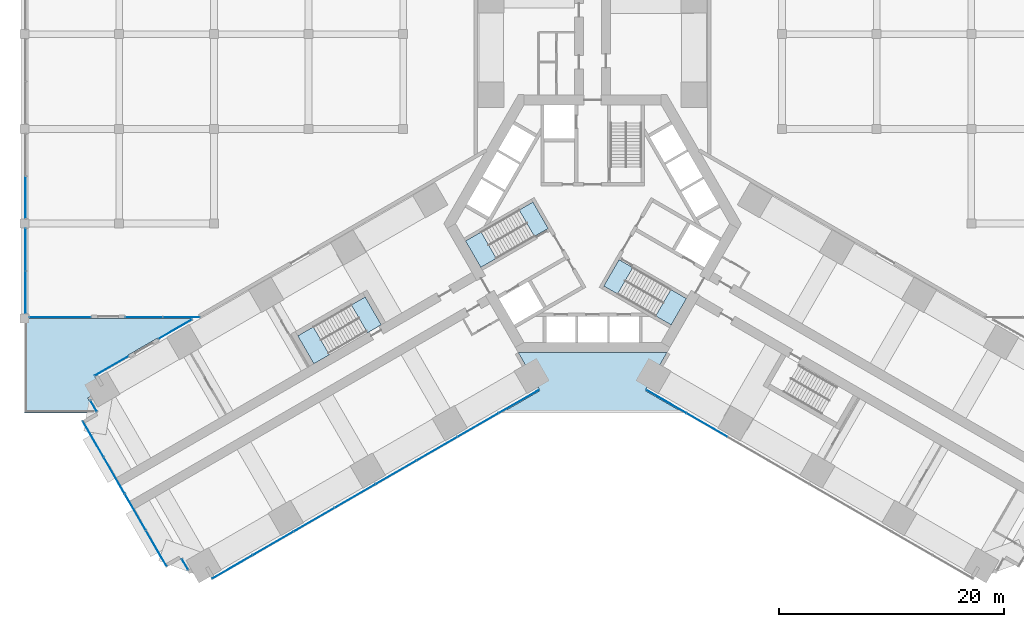
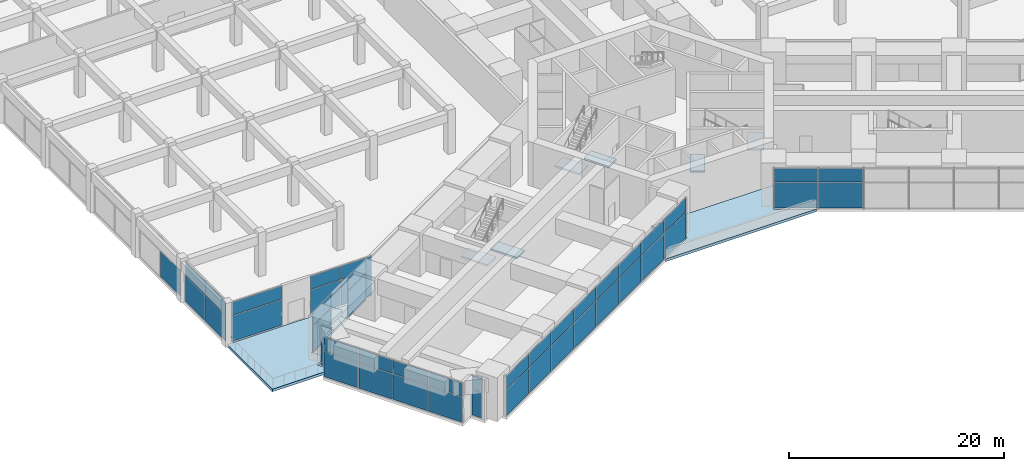
# One storey, part 23 of 33: 47 plates, 8 slabs, 14 elements without a shape of their own.
"""IFC4 building model written with IfcOpenShell, lengths in metres."""

from ifc_helpers import new_model, si_unit, direction, frame, origin, origin_2d, place, context, subcontext, project, spatial, polyline, rectangle, outline, extrude, material, layer, layer_set, type_object, element, aggregate, save


model = new_model("IFC4")

# Units and contexts
model_context = context("Model", 3, precision=1e-05, world=origin(), true_north=direction((0.0, 1.0)))
body_context = subcontext(model_context, "Body", "Model", "MODEL_VIEW")
ifc_project = project(units=[si_unit("LENGTHUNIT", "METRE"), si_unit("AREAUNIT", "SQUARE_METRE"), si_unit("VOLUMEUNIT", "CUBIC_METRE"), si_unit("PLANEANGLEUNIT", "RADIAN"), si_unit("MASSUNIT", "GRAM", prefix="KILO")], contexts=[model_context])

# Site, building, storey
site_placement = place(None, origin())
site = spatial("IfcSite", under=ifc_project, at=site_placement, CompositionType="ELEMENT")
building_placement = place(site_placement, origin())
building = spatial("IfcBuilding", under=site, at=building_placement, Name="Impinga Residences", CompositionType="ELEMENT")
storey_placement = place(building_placement, frame((0.0, 0.0, 21.0)))
storey = spatial("IfcBuildingStorey", under=building, at=storey_placement, Name="L04", CompositionType="ELEMENT", Elevation=21.0)

# Curtain wall, plates
ifc_material_1 = material(Name="Aluminium stick curtain wall", Category="aluminium")
curtain_wall_type = type_object("IfcCurtainWallType", Name="CW1 podium amenity curtain wall", PredefinedType="USERDEFINED", material=ifc_material_1)
curtain_wall_1_placement = place(storey_placement, origin())
curtain_wall_1 = element("IfcCurtainWall", 1, at=curtain_wall_1_placement, inside=storey, type_object=curtain_wall_type, Name="Curtain wall CW1 L04", ObjectType="STICK CURTAIN WALL", PredefinedType="USERDEFINED")
ifc_material_2 = material(Name="Clear double glazing", Category="glass")
ifc_layer_1 = layer(ifc_material_2, 0.028076171875)
ifc_layer_set_1 = layer_set([ifc_layer_1], Name="CW1-P clear double glazed panel 28")
plate_type = type_object("IfcPlateType", Name="CW1-P clear double glazed panel 28", PredefinedType="CURTAIN_PANEL", material=ifc_layer_set_1)
plate_1_placement = place(storey_placement, frame((-36.160888671875, -30.23046875, 0.06005859375), z_axis=(0.0, 0.0, 1.0), x_axis=(-0.499999813995, 0.866025511175, 0.0)))
plate_1 = element("IfcPlate", 2, at=plate_1_placement, type_object=plate_type, Name="CW1 panel 1.1", PredefinedType="CURTAIN_PANEL", context=body_context, shape_type="SweptSolid", body=[
    extrude(rectangle(XDim=1.080078125, YDim=0.028076171875, at=origin_2d()), origin(), (0.0, 0.0, 1.0), 2.909912109375),
])
plate_2_placement = place(storey_placement, frame((-36.160888671875, -30.23046875, 3.02978515625), z_axis=(0.0, 0.0, 1.0), x_axis=(-0.499999813995, 0.866025511175, 0.0)))
plate_2 = element("IfcPlate", 3, at=plate_2_placement, type_object=plate_type, Name="CW1 panel 1.2", PredefinedType="CURTAIN_PANEL", context=body_context, shape_type="SweptSolid", body=[
    extrude(rectangle(XDim=1.080078125, YDim=0.028076171875, at=origin_2d()), origin(), (0.0, 0.0, 1.0), 1.510009765625),
])
aggregate(curtain_wall_1, [plate_1, plate_2])

curtain_wall_2_placement = place(storey_placement, origin())
curtain_wall_2 = element("IfcCurtainWall", 4, at=curtain_wall_2_placement, inside=storey, type_object=curtain_wall_type, Name="Curtain wall CW1 L04", ObjectType="STICK CURTAIN WALL", PredefinedType="USERDEFINED")
plate_3_placement = place(storey_placement, frame((-38.704833984375, -28.82421875, 0.06005859375), z_axis=(0.0, 0.0, 1.0), x_axis=(-0.500000001632, 0.866025402842, 0.0)))
plate_3 = element("IfcPlate", 5, at=plate_3_placement, type_object=plate_type, Name="CW1 panel 1.1", PredefinedType="CURTAIN_PANEL", context=body_context, shape_type="SweptSolid", body=[
    extrude(rectangle(XDim=3.659912109375, YDim=0.028076171875, at=origin_2d()), origin(), (0.0, 0.0, 1.0), 2.909912109375),
])
plate_4_placement = place(storey_placement, frame((-38.704833984375, -28.82421875, 3.02978515625), z_axis=(0.0, 0.0, 1.0), x_axis=(-0.500000001632, 0.866025402842, 0.0)))
plate_4 = element("IfcPlate", 6, at=plate_4_placement, type_object=plate_type, Name="CW1 panel 1.2", PredefinedType="CURTAIN_PANEL", context=body_context, shape_type="SweptSolid", body=[
    extrude(rectangle(XDim=3.659912109375, YDim=0.028076171875, at=origin_2d()), origin(), (0.0, 0.0, 1.0), 1.510009765625),
])
plate_5_placement = place(storey_placement, frame((-40.572509765625, -25.589599609375, 0.06005859375), z_axis=(0.0, 0.0, 1.0), x_axis=(-0.500000001632, 0.866025402842, 0.0)))
plate_5 = element("IfcPlate", 7, at=plate_5_placement, type_object=plate_type, Name="CW1 panel 2.1", PredefinedType="CURTAIN_PANEL", context=body_context, shape_type="SweptSolid", body=[
    extrude(rectangle(XDim=3.68994140625, YDim=0.028076171875, at=origin_2d()), origin(), (0.0, 0.0, 1.0), 2.909912109375),
])
plate_6_placement = place(storey_placement, frame((-40.572509765625, -25.589599609375, 3.02978515625), z_axis=(0.0, 0.0, 1.0), x_axis=(-0.500000001632, 0.866025402842, 0.0)))
plate_6 = element("IfcPlate", 8, at=plate_6_placement, type_object=plate_type, Name="CW1 panel 2.2", PredefinedType="CURTAIN_PANEL", context=body_context, shape_type="SweptSolid", body=[
    extrude(rectangle(XDim=3.68994140625, YDim=0.028076171875, at=origin_2d()), origin(), (0.0, 0.0, 1.0), 1.510009765625),
])
plate_7_placement = place(storey_placement, frame((-42.447509765625, -22.342041015625, 0.06005859375), z_axis=(0.0, 0.0, 1.0), x_axis=(-0.500000001632, 0.866025402842, 0.0)))
plate_7 = element("IfcPlate", 9, at=plate_7_placement, type_object=plate_type, Name="CW1 panel 3.1", PredefinedType="CURTAIN_PANEL", context=body_context, shape_type="SweptSolid", body=[
    extrude(rectangle(XDim=3.68994140625, YDim=0.028076171875, at=origin_2d()), origin(), (0.0, 0.0, 1.0), 2.909912109375),
])
plate_8_placement = place(storey_placement, frame((-42.447509765625, -22.342041015625, 3.02978515625), z_axis=(0.0, 0.0, 1.0), x_axis=(-0.500000001632, 0.866025402842, 0.0)))
plate_8 = element("IfcPlate", 10, at=plate_8_placement, type_object=plate_type, Name="CW1 panel 3.2", PredefinedType="CURTAIN_PANEL", context=body_context, shape_type="SweptSolid", body=[
    extrude(rectangle(XDim=3.68994140625, YDim=0.028076171875, at=origin_2d()), origin(), (0.0, 0.0, 1.0), 1.510009765625),
])
plate_9_placement = place(storey_placement, frame((-44.31494140625, -19.107421875, 0.06005859375), z_axis=(0.0, 0.0, 1.0), x_axis=(-0.500000001632, 0.866025402842, 0.0)))
plate_9 = element("IfcPlate", 11, at=plate_9_placement, type_object=plate_type, Name="CW1 panel 4.1", PredefinedType="CURTAIN_PANEL", context=body_context, shape_type="SweptSolid", body=[
    extrude(rectangle(XDim=3.659912109375, YDim=0.028076171875, at=origin_2d()), origin(), (0.0, 0.0, 1.0), 2.909912109375),
])
plate_10_placement = place(storey_placement, frame((-44.31494140625, -19.107421875, 3.02978515625), z_axis=(0.0, 0.0, 1.0), x_axis=(-0.500000001632, 0.866025402842, 0.0)))
plate_10 = element("IfcPlate", 12, at=plate_10_placement, type_object=plate_type, Name="CW1 panel 4.2", PredefinedType="CURTAIN_PANEL", context=body_context, shape_type="SweptSolid", body=[
    extrude(rectangle(XDim=3.659912109375, YDim=0.028076171875, at=origin_2d()), origin(), (0.0, 0.0, 1.0), 1.510009765625),
])
aggregate(curtain_wall_2, [plate_3, plate_4, plate_5, plate_6, plate_7, plate_8, plate_9, plate_10])

curtain_wall_3_placement = place(storey_placement, origin())
curtain_wall_3 = element("IfcCurtainWall", 13, at=curtain_wall_3_placement, inside=storey, type_object=curtain_wall_type, Name="Curtain wall CW1 L04", ObjectType="STICK CURTAIN WALL", PredefinedType="USERDEFINED")
plate_11_placement = place(storey_placement, frame((-44.260986328125, -16.200927734375, 0.06005859375), z_axis=(0.0, 0.0, 1.0), x_axis=(-0.50000017485, 0.866025302835, 0.0)))
plate_11 = element("IfcPlate", 14, at=plate_11_placement, type_object=plate_type, Name="CW1 panel 1.1", PredefinedType="CURTAIN_PANEL", context=body_context, shape_type="SweptSolid", body=[
    extrude(rectangle(XDim=1.080078125, YDim=0.028076171875, at=origin_2d()), origin(), (0.0, 0.0, 1.0), 2.909912109375),
])
plate_12_placement = place(storey_placement, frame((-44.260986328125, -16.200927734375, 3.02978515625), z_axis=(0.0, 0.0, 1.0), x_axis=(-0.50000017485, 0.866025302835, 0.0)))
plate_12 = element("IfcPlate", 15, at=plate_12_placement, type_object=plate_type, Name="CW1 panel 1.2", PredefinedType="CURTAIN_PANEL", context=body_context, shape_type="SweptSolid", body=[
    extrude(rectangle(XDim=1.080078125, YDim=0.028076171875, at=origin_2d()), origin(), (0.0, 0.0, 1.0), 1.510009765625),
])
aggregate(curtain_wall_3, [plate_11, plate_12])

curtain_wall_4_placement = place(storey_placement, origin())
curtain_wall_4 = element("IfcCurtainWall", 16, at=curtain_wall_4_placement, inside=storey, type_object=curtain_wall_type, Name="Curtain wall CW1 L04", ObjectType="STICK CURTAIN WALL", PredefinedType="USERDEFINED")
plate_13_placement = place(storey_placement, frame((-42.673095703125, -12.62841796875, 0.06005859375), z_axis=(0.0, 0.0, 1.0), x_axis=(0.866025511323, 0.499999813738, 0.0)))
plate_13 = element("IfcPlate", 17, at=plate_13_placement, type_object=plate_type, Name="CW1 panel 1.1", PredefinedType="CURTAIN_PANEL", context=body_context, shape_type="SweptSolid", body=[
    extrude(rectangle(XDim=3.402587890625, YDim=0.028076171875, at=origin_2d()), origin(), (0.0, 0.0, 1.0), 2.909912109375),
])
plate_14_placement = place(storey_placement, frame((-42.673095703125, -12.62841796875, 3.02978515625), z_axis=(0.0, 0.0, 1.0), x_axis=(0.866025511323, 0.499999813738, 0.0)))
plate_14 = element("IfcPlate", 18, at=plate_14_placement, type_object=plate_type, Name="CW1 panel 1.2", PredefinedType="CURTAIN_PANEL", context=body_context, shape_type="SweptSolid", body=[
    extrude(rectangle(XDim=3.402587890625, YDim=0.028076171875, at=origin_2d()), origin(), (0.0, 0.0, 1.0), 1.510009765625),
])
aggregate(curtain_wall_4, [plate_13, plate_14])

curtain_wall_5_placement = place(storey_placement, origin())
curtain_wall_5 = element("IfcCurtainWall", 19, at=curtain_wall_5_placement, inside=storey, type_object=curtain_wall_type, Name="Curtain wall CW1 L04", ObjectType="STICK CURTAIN WALL", PredefinedType="USERDEFINED")
plate_15_placement = place(storey_placement, frame((-37.0244140625, -9.3671875, 0.06005859375), z_axis=(0.0, 0.0, 1.0), x_axis=(0.866025440349, 0.499999936668, 0.0)))
plate_15 = element("IfcPlate", 20, at=plate_15_placement, type_object=plate_type, Name="CW1 panel 1.1", PredefinedType="CURTAIN_PANEL", context=body_context, shape_type="SweptSolid", body=[
    extrude(rectangle(XDim=3.402587890625, YDim=0.028076171875, at=origin_2d()), origin(), (0.0, 0.0, 1.0), 2.909912109375),
])
plate_16_placement = place(storey_placement, frame((-37.0244140625, -9.3671875, 3.02978515625), z_axis=(0.0, 0.0, 1.0), x_axis=(0.866025440349, 0.499999936668, 0.0)))
plate_16 = element("IfcPlate", 21, at=plate_16_placement, type_object=plate_type, Name="CW1 panel 1.2", PredefinedType="CURTAIN_PANEL", context=body_context, shape_type="SweptSolid", body=[
    extrude(rectangle(XDim=3.402587890625, YDim=0.028076171875, at=origin_2d()), origin(), (0.0, 0.0, 1.0), 1.510009765625),
])
aggregate(curtain_wall_5, [plate_15, plate_16])

curtain_wall_6_placement = place(storey_placement, origin())
curtain_wall_6 = element("IfcCurtainWall", 22, at=curtain_wall_6_placement, inside=storey, type_object=curtain_wall_type, Name="Curtain wall CW1 L04", ObjectType="STICK CURTAIN WALL", PredefinedType="USERDEFINED")
plate_17_placement = place(storey_placement, frame((-36.48583984375, -8.300048828125, 0.06005859375), z_axis=(0.0, 0.0, 1.0), x_axis=(-1.0, 0.0, 0.0)))
plate_17 = element("IfcPlate", 23, at=plate_17_placement, type_object=plate_type, Name="CW1 panel 1.1", PredefinedType="CURTAIN_PANEL", context=body_context, shape_type="SweptSolid", body=[
    extrude(rectangle(XDim=3.245849609375, YDim=0.028076171875, at=origin_2d()), origin(), (0.0, 0.0, 1.0), 2.909912109375),
])
plate_18_placement = place(storey_placement, frame((-36.48583984375, -8.300048828125, 3.02978515625), z_axis=(0.0, 0.0, 1.0), x_axis=(-1.0, 0.0, 0.0)))
plate_18 = element("IfcPlate", 24, at=plate_18_placement, type_object=plate_type, Name="CW1 panel 1.2", PredefinedType="CURTAIN_PANEL", context=body_context, shape_type="SweptSolid", body=[
    extrude(rectangle(XDim=3.245849609375, YDim=0.028076171875, at=origin_2d()), origin(), (0.0, 0.0, 1.0), 1.510009765625),
])
plate_19_placement = place(storey_placement, frame((-39.791748046875, -8.300048828125, 0.06005859375), z_axis=(0.0, 0.0, 1.0), x_axis=(-1.0, 0.0, 0.0)))
plate_19 = element("IfcPlate", 25, at=plate_19_placement, type_object=plate_type, Name="CW1 panel 2.1", PredefinedType="CURTAIN_PANEL", context=body_context, shape_type="SweptSolid", body=[
    extrude(rectangle(XDim=3.245849609375, YDim=0.028076171875, at=origin_2d()), origin(), (0.0, 0.0, 1.0), 2.909912109375),
])
plate_20_placement = place(storey_placement, frame((-39.791748046875, -8.300048828125, 3.02978515625), z_axis=(0.0, 0.0, 1.0), x_axis=(-1.0, 0.0, 0.0)))
plate_20 = element("IfcPlate", 26, at=plate_20_placement, type_object=plate_type, Name="CW1 panel 2.2", PredefinedType="CURTAIN_PANEL", context=body_context, shape_type="SweptSolid", body=[
    extrude(rectangle(XDim=3.245849609375, YDim=0.028076171875, at=origin_2d()), origin(), (0.0, 0.0, 1.0), 1.510009765625),
])
aggregate(curtain_wall_6, [plate_17, plate_18, plate_19, plate_20])

curtain_wall_7_placement = place(storey_placement, origin())
curtain_wall_7 = element("IfcCurtainWall", 27, at=curtain_wall_7_placement, inside=storey, type_object=curtain_wall_type, Name="Curtain wall CW1 L04", ObjectType="STICK CURTAIN WALL", PredefinedType="USERDEFINED")
plate_21_placement = place(storey_placement, frame((-47.23583984375, -8.300048828125, 0.06005859375), z_axis=(0.0, 0.0, 1.0), x_axis=(-1.0, 0.0, 0.0)))
plate_21 = element("IfcPlate", 28, at=plate_21_placement, type_object=plate_type, Name="CW1 panel 1.1", PredefinedType="CURTAIN_PANEL", context=body_context, shape_type="SweptSolid", body=[
    extrude(rectangle(XDim=5.40234375, YDim=0.028076171875, at=origin_2d()), origin(), (0.0, 0.0, 1.0), 2.909912109375),
])
plate_22_placement = place(storey_placement, frame((-47.23583984375, -8.300048828125, 3.02978515625), z_axis=(0.0, 0.0, 1.0), x_axis=(-1.0, 0.0, 0.0)))
plate_22 = element("IfcPlate", 29, at=plate_22_placement, type_object=plate_type, Name="CW1 panel 1.2", PredefinedType="CURTAIN_PANEL", context=body_context, shape_type="SweptSolid", body=[
    extrude(rectangle(XDim=5.40234375, YDim=0.028076171875, at=origin_2d()), origin(), (0.0, 0.0, 1.0), 1.510009765625),
])
aggregate(curtain_wall_7, [plate_21, plate_22])

curtain_wall_8_placement = place(storey_placement, origin())
curtain_wall_8 = element("IfcCurtainWall", 30, at=curtain_wall_8_placement, inside=storey, type_object=curtain_wall_type, Name="Curtain wall CW1 L04", ObjectType="STICK CURTAIN WALL", PredefinedType="USERDEFINED")
plate_23_placement = place(storey_placement, frame((-50.300048828125, -6.08349609375, 0.06005859375), z_axis=(0.0, 0.0, 1.0), x_axis=(0.0, 1.0, 0.0)))
plate_23 = element("IfcPlate", 31, at=plate_23_placement, type_object=plate_type, Name="CW1 panel 1.1", PredefinedType="CURTAIN_PANEL", context=body_context, shape_type="SweptSolid", body=[
    extrude(rectangle(XDim=3.70703125, YDim=0.028076171875, at=origin_2d()), origin(), (0.0, 0.0, 1.0), 2.909912109375),
])
plate_24_placement = place(storey_placement, frame((-50.300048828125, -6.08349609375, 3.02978515625), z_axis=(0.0, 0.0, 1.0), x_axis=(0.0, 1.0, 0.0)))
plate_24 = element("IfcPlate", 32, at=plate_24_placement, type_object=plate_type, Name="CW1 panel 1.2", PredefinedType="CURTAIN_PANEL", context=body_context, shape_type="SweptSolid", body=[
    extrude(rectangle(XDim=3.70703125, YDim=0.028076171875, at=origin_2d()), origin(), (0.0, 0.0, 1.0), 1.510009765625),
])
plate_25_placement = place(storey_placement, frame((-50.300048828125, -2.31640625, 0.06005859375), z_axis=(0.0, 0.0, 1.0), x_axis=(0.0, 1.0, 0.0)))
plate_25 = element("IfcPlate", 33, at=plate_25_placement, type_object=plate_type, Name="CW1 panel 2.1", PredefinedType="CURTAIN_PANEL", context=body_context, shape_type="SweptSolid", body=[
    extrude(rectangle(XDim=3.70703125, YDim=0.028076171875, at=origin_2d()), origin(), (0.0, 0.0, 1.0), 2.909912109375),
])
plate_26_placement = place(storey_placement, frame((-50.300048828125, -2.31640625, 3.02978515625), z_axis=(0.0, 0.0, 1.0), x_axis=(0.0, 1.0, 0.0)))
plate_26 = element("IfcPlate", 34, at=plate_26_placement, type_object=plate_type, Name="CW1 panel 2.2", PredefinedType="CURTAIN_PANEL", context=body_context, shape_type="SweptSolid", body=[
    extrude(rectangle(XDim=3.70703125, YDim=0.028076171875, at=origin_2d()), origin(), (0.0, 0.0, 1.0), 1.510009765625),
])
aggregate(curtain_wall_8, [plate_23, plate_24, plate_25, plate_26])

# Curtain wall, plate
curtain_wall_9_placement = place(storey_placement, origin())
curtain_wall_9 = element("IfcCurtainWall", 35, at=curtain_wall_9_placement, inside=storey, type_object=curtain_wall_type, Name="Curtain wall CW1 L04", ObjectType="STICK CURTAIN WALL", PredefinedType="USERDEFINED")
plate_27_placement = place(storey_placement, frame((-50.300048828125, 2.31640625, 0.06005859375), z_axis=(0.0, 0.0, 1.0), x_axis=(0.0, 1.0, 0.0)))
plate_27 = element("IfcPlate", 36, at=plate_27_placement, type_object=plate_type, Name="CW1 panel 1.1", PredefinedType="CURTAIN_PANEL", context=body_context, shape_type="SweptSolid", body=[
    extrude(rectangle(XDim=3.70703125, YDim=0.028076171875, at=origin_2d()), origin(), (0.0, 0.0, 1.0), 2.909912109375),
])
aggregate(curtain_wall_9, [plate_27])

# Curtain wall, plates
curtain_wall_10_placement = place(storey_placement, origin())
curtain_wall_10 = element("IfcCurtainWall", 37, at=curtain_wall_10_placement, inside=storey, type_object=curtain_wall_type, Name="Curtain wall CW1 L04", ObjectType="STICK CURTAIN WALL", PredefinedType="USERDEFINED")
plate_28_placement = place(storey_placement, frame((10.156005859375, -17.872314453125, 0.06005859375), z_axis=(0.0, 0.0, 1.0), x_axis=(-0.866025407005, 0.499999994423, 0.0)))
plate_28 = element("IfcPlate", 38, at=plate_28_placement, type_object=plate_type, Name="CW1 panel 7.1", PredefinedType="CURTAIN_PANEL", context=body_context, shape_type="SweptSolid", body=[
    extrude(rectangle(XDim=4.139892578125, YDim=0.028076171875, at=origin_2d()), origin(), (0.0, 0.0, 1.0), 2.909912109375),
])
plate_29_placement = place(storey_placement, frame((10.156005859375, -17.872314453125, 3.02978515625), z_axis=(0.0, 0.0, 1.0), x_axis=(-0.866025407005, 0.499999994423, 0.0)))
plate_29 = element("IfcPlate", 39, at=plate_29_placement, type_object=plate_type, Name="CW1 panel 7.2", PredefinedType="CURTAIN_PANEL", context=body_context, shape_type="SweptSolid", body=[
    extrude(rectangle(XDim=4.139892578125, YDim=0.028076171875, at=origin_2d()), origin(), (0.0, 0.0, 1.0), 1.510009765625),
])
plate_30_placement = place(storey_placement, frame((6.53173828125, -15.780029296875, 0.06005859375), z_axis=(0.0, 0.0, 1.0), x_axis=(-0.866025407005, 0.499999994423, 0.0)))
plate_30 = element("IfcPlate", 40, at=plate_30_placement, type_object=plate_type, Name="CW1 panel 8.1", PredefinedType="CURTAIN_PANEL", context=body_context, shape_type="SweptSolid", body=[
    extrude(rectangle(XDim=4.110107421875, YDim=0.028076171875, at=origin_2d()), origin(), (0.0, 0.0, 1.0), 2.909912109375),
])
plate_31_placement = place(storey_placement, frame((6.53173828125, -15.780029296875, 3.02978515625), z_axis=(0.0, 0.0, 1.0), x_axis=(-0.866025407005, 0.499999994423, 0.0)))
plate_31 = element("IfcPlate", 41, at=plate_31_placement, type_object=plate_type, Name="CW1 panel 8.2", PredefinedType="CURTAIN_PANEL", context=body_context, shape_type="SweptSolid", body=[
    extrude(rectangle(XDim=4.110107421875, YDim=0.028076171875, at=origin_2d()), origin(), (0.0, 0.0, 1.0), 1.510009765625),
])
aggregate(curtain_wall_10, [plate_28, plate_29, plate_30, plate_31])

curtain_wall_11_placement = place(storey_placement, origin())
curtain_wall_11 = element("IfcCurtainWall", 42, at=curtain_wall_11_placement, inside=storey, type_object=curtain_wall_type, Name="Curtain wall CW1 L04", ObjectType="STICK CURTAIN WALL", PredefinedType="USERDEFINED")
plate_32_placement = place(storey_placement, frame((-6.53173828125, -15.780029296875, 0.06005859375), z_axis=(0.0, 0.0, 1.0), x_axis=(-0.866025407005, -0.499999994423, 0.0)))
plate_32 = element("IfcPlate", 43, at=plate_32_placement, type_object=plate_type, Name="CW1 panel 1.1", PredefinedType="CURTAIN_PANEL", context=body_context, shape_type="SweptSolid", body=[
    extrude(rectangle(XDim=4.110107421875, YDim=0.028076171875, at=origin_2d()), origin(), (0.0, 0.0, 1.0), 2.909912109375),
])
plate_33_placement = place(storey_placement, frame((-6.53173828125, -15.780029296875, 3.02978515625), z_axis=(0.0, 0.0, 1.0), x_axis=(-0.866025407005, -0.499999994423, 0.0)))
plate_33 = element("IfcPlate", 44, at=plate_33_placement, type_object=plate_type, Name="CW1 panel 1.2", PredefinedType="CURTAIN_PANEL", context=body_context, shape_type="SweptSolid", body=[
    extrude(rectangle(XDim=4.110107421875, YDim=0.028076171875, at=origin_2d()), origin(), (0.0, 0.0, 1.0), 1.510009765625),
])
plate_34_placement = place(storey_placement, frame((-10.156005859375, -17.872314453125, 0.06005859375), z_axis=(0.0, 0.0, 1.0), x_axis=(-0.866025407005, -0.499999994423, 0.0)))
plate_34 = element("IfcPlate", 45, at=plate_34_placement, type_object=plate_type, Name="CW1 panel 2.1", PredefinedType="CURTAIN_PANEL", context=body_context, shape_type="SweptSolid", body=[
    extrude(rectangle(XDim=4.139892578125, YDim=0.028076171875, at=origin_2d()), origin(), (0.0, 0.0, 1.0), 2.909912109375),
])
plate_35_placement = place(storey_placement, frame((-10.156005859375, -17.872314453125, 3.02978515625), z_axis=(0.0, 0.0, 1.0), x_axis=(-0.866025407005, -0.499999994423, 0.0)))
plate_35 = element("IfcPlate", 46, at=plate_35_placement, type_object=plate_type, Name="CW1 panel 2.2", PredefinedType="CURTAIN_PANEL", context=body_context, shape_type="SweptSolid", body=[
    extrude(rectangle(XDim=4.139892578125, YDim=0.028076171875, at=origin_2d()), origin(), (0.0, 0.0, 1.0), 1.510009765625),
])
plate_36_placement = place(storey_placement, frame((-13.793212890625, -19.972412109375, 0.06005859375), z_axis=(0.0, 0.0, 1.0), x_axis=(-0.866025407005, -0.499999994423, 0.0)))
plate_36 = element("IfcPlate", 47, at=plate_36_placement, type_object=plate_type, Name="CW1 panel 3.1", PredefinedType="CURTAIN_PANEL", context=body_context, shape_type="SweptSolid", body=[
    extrude(rectangle(XDim=4.139892578125, YDim=0.028076171875, at=origin_2d()), origin(), (0.0, 0.0, 1.0), 2.909912109375),
])
plate_37_placement = place(storey_placement, frame((-13.793212890625, -19.972412109375, 3.02978515625), z_axis=(0.0, 0.0, 1.0), x_axis=(-0.866025407005, -0.499999994423, 0.0)))
plate_37 = element("IfcPlate", 48, at=plate_37_placement, type_object=plate_type, Name="CW1 panel 3.2", PredefinedType="CURTAIN_PANEL", context=body_context, shape_type="SweptSolid", body=[
    extrude(rectangle(XDim=4.139892578125, YDim=0.028076171875, at=origin_2d()), origin(), (0.0, 0.0, 1.0), 1.510009765625),
])
plate_38_placement = place(storey_placement, frame((-17.4306640625, -22.072509765625, 0.06005859375), z_axis=(0.0, 0.0, 1.0), x_axis=(-0.866025407005, -0.499999994423, 0.0)))
plate_38 = element("IfcPlate", 49, at=plate_38_placement, type_object=plate_type, Name="CW1 panel 4.1", PredefinedType="CURTAIN_PANEL", context=body_context, shape_type="SweptSolid", body=[
    extrude(rectangle(XDim=4.139892578125, YDim=0.028076171875, at=origin_2d()), origin(), (0.0, 0.0, 1.0), 2.909912109375),
])
plate_39_placement = place(storey_placement, frame((-17.4306640625, -22.072509765625, 3.02978515625), z_axis=(0.0, 0.0, 1.0), x_axis=(-0.866025407005, -0.499999994423, 0.0)))
plate_39 = element("IfcPlate", 50, at=plate_39_placement, type_object=plate_type, Name="CW1 panel 4.2", PredefinedType="CURTAIN_PANEL", context=body_context, shape_type="SweptSolid", body=[
    extrude(rectangle(XDim=4.139892578125, YDim=0.028076171875, at=origin_2d()), origin(), (0.0, 0.0, 1.0), 1.510009765625),
])
plate_40_placement = place(storey_placement, frame((-21.06787109375, -24.17236328125, 0.06005859375), z_axis=(0.0, 0.0, 1.0), x_axis=(-0.866025407005, -0.499999994423, 0.0)))
plate_40 = element("IfcPlate", 51, at=plate_40_placement, type_object=plate_type, Name="CW1 panel 5.1", PredefinedType="CURTAIN_PANEL", context=body_context, shape_type="SweptSolid", body=[
    extrude(rectangle(XDim=4.139892578125, YDim=0.028076171875, at=origin_2d()), origin(), (0.0, 0.0, 1.0), 2.909912109375),
])
plate_41_placement = place(storey_placement, frame((-21.06787109375, -24.17236328125, 3.02978515625), z_axis=(0.0, 0.0, 1.0), x_axis=(-0.866025407005, -0.499999994423, 0.0)))
plate_41 = element("IfcPlate", 52, at=plate_41_placement, type_object=plate_type, Name="CW1 panel 5.2", PredefinedType="CURTAIN_PANEL", context=body_context, shape_type="SweptSolid", body=[
    extrude(rectangle(XDim=4.139892578125, YDim=0.028076171875, at=origin_2d()), origin(), (0.0, 0.0, 1.0), 1.510009765625),
])
plate_42_placement = place(storey_placement, frame((-24.705078125, -26.2724609375, 0.06005859375), z_axis=(0.0, 0.0, 1.0), x_axis=(-0.866025407005, -0.499999994423, 0.0)))
plate_42 = element("IfcPlate", 53, at=plate_42_placement, type_object=plate_type, Name="CW1 panel 6.1", PredefinedType="CURTAIN_PANEL", context=body_context, shape_type="SweptSolid", body=[
    extrude(rectangle(XDim=4.139892578125, YDim=0.028076171875, at=origin_2d()), origin(), (0.0, 0.0, 1.0), 2.909912109375),
])
plate_43_placement = place(storey_placement, frame((-24.705078125, -26.2724609375, 3.02978515625), z_axis=(0.0, 0.0, 1.0), x_axis=(-0.866025407005, -0.499999994423, 0.0)))
plate_43 = element("IfcPlate", 54, at=plate_43_placement, type_object=plate_type, Name="CW1 panel 6.2", PredefinedType="CURTAIN_PANEL", context=body_context, shape_type="SweptSolid", body=[
    extrude(rectangle(XDim=4.139892578125, YDim=0.028076171875, at=origin_2d()), origin(), (0.0, 0.0, 1.0), 1.510009765625),
])
plate_44_placement = place(storey_placement, frame((-28.342529296875, -28.372314453125, 0.06005859375), z_axis=(0.0, 0.0, 1.0), x_axis=(-0.866025407005, -0.499999994423, 0.0)))
plate_44 = element("IfcPlate", 55, at=plate_44_placement, type_object=plate_type, Name="CW1 panel 7.1", PredefinedType="CURTAIN_PANEL", context=body_context, shape_type="SweptSolid", body=[
    extrude(rectangle(XDim=4.139892578125, YDim=0.028076171875, at=origin_2d()), origin(), (0.0, 0.0, 1.0), 2.909912109375),
])
plate_45_placement = place(storey_placement, frame((-28.342529296875, -28.372314453125, 3.02978515625), z_axis=(0.0, 0.0, 1.0), x_axis=(-0.866025407005, -0.499999994423, 0.0)))
plate_45 = element("IfcPlate", 56, at=plate_45_placement, type_object=plate_type, Name="CW1 panel 7.2", PredefinedType="CURTAIN_PANEL", context=body_context, shape_type="SweptSolid", body=[
    extrude(rectangle(XDim=4.139892578125, YDim=0.028076171875, at=origin_2d()), origin(), (0.0, 0.0, 1.0), 1.510009765625),
])
plate_46_placement = place(storey_placement, frame((-31.966796875, -30.46484375, 0.06005859375), z_axis=(0.0, 0.0, 1.0), x_axis=(-0.866025407005, -0.499999994423, 0.0)))
plate_46 = element("IfcPlate", 57, at=plate_46_placement, type_object=plate_type, Name="CW1 panel 8.1", PredefinedType="CURTAIN_PANEL", context=body_context, shape_type="SweptSolid", body=[
    extrude(rectangle(XDim=4.110107421875, YDim=0.028076171875, at=origin_2d()), origin(), (0.0, 0.0, 1.0), 2.909912109375),
])
plate_47_placement = place(storey_placement, frame((-31.966796875, -30.46484375, 3.02978515625), z_axis=(0.0, 0.0, 1.0), x_axis=(-0.866025407005, -0.499999994423, 0.0)))
plate_47 = element("IfcPlate", 58, at=plate_47_placement, type_object=plate_type, Name="CW1 panel 8.2", PredefinedType="CURTAIN_PANEL", context=body_context, shape_type="SweptSolid", body=[
    extrude(rectangle(XDim=4.110107421875, YDim=0.028076171875, at=origin_2d()), origin(), (0.0, 0.0, 1.0), 1.510009765625),
])
aggregate(curtain_wall_11, [plate_32, plate_33, plate_34, plate_35, plate_36, plate_37, plate_38, plate_39, plate_40, plate_41, plate_42, plate_43, plate_44, plate_45, plate_46, plate_47])

# Stair, slabs
ifc_material_3 = material(Name="Concrete C40/50", Category="concrete")
stair_type_1 = type_object("IfcStairType", Name="STR core stair 5000 storey, 30 risers", PredefinedType="HALF_TURN_STAIR", material=ifc_material_3)
stair_1_placement = place(storey_placement, origin())
stair_1 = element("IfcStair", 59, at=stair_1_placement, inside=storey, type_object=stair_type_1, Name="Stair ST2 L04", PredefinedType="HALF_TURN_STAIR")
ifc_layer_2 = layer(ifc_material_3, 0.199951171875)
ifc_layer_set_2 = layer_set([ifc_layer_2], Name="Concrete C40/50")
slab_type_1 = type_object("IfcSlabType", Name="LS1 stair landing 200", PredefinedType="LANDING", material=ifc_layer_set_2)
slab_1_placement = place(storey_placement, frame((0.0, 0.0, -0.199951171875)))
slab_1 = element("IfcSlab", 60, at=slab_1_placement, type_object=slab_type_1, Name="ST2 landing 1", PredefinedType="LANDING", context=body_context, shape_type="SweptSolid", body=[
    extrude(outline(polyline([(-3.943603515625, -0.429443359375), (-5.293701171875, 1.908935546875), (-6.5146484375, 1.203857421875), (-5.164794921875, -1.13427734375), (-3.943603515625, -0.429443359375)])), origin(), (0.0, 0.0, 1.0), 0.199951171875),
])
slab_2_placement = place(storey_placement, frame((0.0, 0.0, 2.300048828125)))
slab_2 = element("IfcSlab", 61, at=slab_2_placement, type_object=slab_type_1, Name="ST2 landing 2", PredefinedType="LANDING", context=body_context, shape_type="SweptSolid", body=[
    extrude(outline(polyline([(-8.542236328125, -3.08447265625), (-9.892333984375, -0.74609375), (-11.2705078125, -1.541748046875), (-9.920654296875, -3.880126953125), (-8.542236328125, -3.08447265625)])), origin(), (0.0, 0.0, 1.0), 0.199951171875),
])
aggregate(stair_1, [slab_1, slab_2])

stair_2_placement = place(storey_placement, origin())
stair_2 = element("IfcStair", 62, at=stair_2_placement, inside=storey, type_object=stair_type_1, Name="Stair ST3 L04", PredefinedType="HALF_TURN_STAIR")
slab_3_placement = place(storey_placement, frame((0.0, 0.0, -0.199951171875)))
slab_3 = element("IfcSlab", 63, at=slab_3_placement, type_object=slab_type_1, Name="ST3 landing 1", PredefinedType="LANDING", context=body_context, shape_type="SweptSolid", body=[
    extrude(outline(polyline([(2.34375, -3.20068359375), (0.99365234375, -5.538818359375), (2.21484375, -6.243896484375), (3.564697265625, -3.90576171875), (2.34375, -3.20068359375)])), origin(), (0.0, 0.0, 1.0), 0.199951171875),
])
slab_4_placement = place(storey_placement, frame((0.0, 0.0, 2.300048828125)))
slab_4 = element("IfcSlab", 64, at=slab_4_placement, type_object=slab_type_1, Name="ST3 landing 2", PredefinedType="LANDING", context=body_context, shape_type="SweptSolid", body=[
    extrude(outline(polyline([(6.9423828125, -5.855712890625), (5.59228515625, -8.19384765625), (6.970458984375, -8.98974609375), (8.320556640625, -6.6513671875), (6.9423828125, -5.855712890625)])), origin(), (0.0, 0.0, 1.0), 0.199951171875),
])
aggregate(stair_2, [slab_3, slab_4])

stair_type_2 = type_object("IfcStairType", Name="STR wing stair 5000 storey, 30 risers", PredefinedType="HALF_TURN_STAIR", material=ifc_material_3)
stair_3_placement = place(storey_placement, origin())
stair_3 = element("IfcStair", 65, at=stair_3_placement, inside=storey, type_object=stair_type_2, Name="Stair WS2 L04", PredefinedType="HALF_TURN_STAIR")
slab_5_placement = place(storey_placement, frame((0.0, 0.0, -0.199951171875)))
slab_5 = element("IfcSlab", 66, at=slab_5_placement, type_object=slab_type_1, Name="WS2 landing 1", PredefinedType="LANDING", context=body_context, shape_type="SweptSolid", body=[
    extrude(outline(polyline([(-18.754150390625, -8.980224609375), (-20.178955078125, -6.511962890625), (-21.400146484375, -7.217041015625), (-19.97509765625, -9.68505859375), (-18.754150390625, -8.980224609375)])), origin(), (0.0, 0.0, 1.0), 0.199951171875),
])
slab_6_placement = place(storey_placement, frame((0.0, 0.0, 2.300048828125)))
slab_6 = element("IfcSlab", 67, at=slab_6_placement, type_object=slab_type_1, Name="WS2 landing 2", PredefinedType="LANDING", context=body_context, shape_type="SweptSolid", body=[
    extrude(outline(polyline([(-23.3525390625, -11.635009765625), (-24.777587890625, -9.1669921875), (-26.154541015625, -9.9619140625), (-24.7294921875, -12.43017578125), (-23.3525390625, -11.635009765625)])), origin(), (0.0, 0.0, 1.0), 0.199951171875),
])
aggregate(stair_3, [slab_5, slab_6])

# Slabs
ifc_material_4 = material(Name="Concrete C60/75", Category="concrete")
ifc_layer_3 = layer(ifc_material_4, 0.300048828125)
ifc_layer_set_3 = layer_set([ifc_layer_3], Name="Concrete C60/75")
slab_type_2 = type_object("IfcSlabType", Name="TS1 podium terrace slab 300", PredefinedType="ROOF", material=ifc_layer_set_3)
slab_7_placement = place(storey_placement, frame((0.0, 0.0, -0.300048828125)))
element("IfcSlab", 68, at=slab_7_placement, inside=storey, type_object=slab_type_2, Name="Podium terrace TS1 L04", PredefinedType="ROOF", context=body_context, shape_type="SweptSolid", body=[
    extrude(outline(polyline([(-50.39990234375, -16.800048828125), (-50.39990234375, -8.40087890625), (-35.552978515625, -8.40087890625), (-44.2490234375, -13.421630859375), (-44.2490234375, -13.421630859375), (-44.2490234375, -13.421630859375), (-44.249267578125, -13.421875), (-44.249267578125, -13.421875), (-44.249267578125, -13.421875), (-44.249267578125, -13.422119140625), (-44.249267578125, -13.422119140625), (-44.24951171875, -13.42236328125), (-44.24951171875, -13.42236328125), (-44.24951171875, -13.42236328125), (-44.24951171875, -13.422607421875), (-44.24951171875, -13.422607421875), (-44.24951171875, -13.422607421875), (-44.24951171875, -13.4228515625), (-44.249267578125, -13.4228515625), (-44.249267578125, -13.423095703125), (-43.499755859375, -14.72119140625), (-44.798095703125, -15.470703125), (-44.798095703125, -15.470703125), (-44.798095703125, -15.470703125), (-44.79833984375, -15.470947265625), (-44.79833984375, -15.470947265625), (-44.79833984375, -15.470947265625), (-44.79833984375, -15.47119140625), (-44.79833984375, -15.47119140625), (-44.79833984375, -15.47119140625), (-44.798583984375, -15.471435546875), (-44.798583984375, -15.471435546875), (-44.798583984375, -15.4716796875), (-44.798583984375, -15.4716796875), (-44.798583984375, -15.4716796875), (-44.79833984375, -15.471923828125), (-44.79833984375, -15.471923828125), (-44.79833984375, -15.471923828125), (-44.048828125, -16.770263671875), (-44.100341796875, -16.800048828125), (-50.39990234375, -16.800048828125)])), origin(), (0.0, 0.0, 1.0), 0.300048828125),
])
slab_8_placement = place(storey_placement, frame((0.0, 0.0, -0.300048828125)))
element("IfcSlab", 69, at=slab_8_placement, inside=storey, type_object=slab_type_2, Name="Maintenance roof TS1 L04", PredefinedType="ROOF", context=body_context, shape_type="SweptSolid", body=[
    extrude(outline(polyline([(-8.096435546875, -16.800048828125), (-4.6494140625, -14.809814453125), (-4.6494140625, -14.809814453125), (-4.6494140625, -14.809814453125), (-4.649169921875, -14.809814453125), (-4.649169921875, -14.8095703125), (-4.649169921875, -14.8095703125), (-4.649169921875, -14.8095703125), (-4.649169921875, -14.809326171875), (-4.64892578125, -14.809326171875), (-4.64892578125, -14.80908203125), (-4.64892578125, -14.80908203125), (-4.64892578125, -14.80908203125), (-4.64892578125, -14.808837890625), (-4.64892578125, -14.808837890625), (-4.649169921875, -14.80859375), (-4.649169921875, -14.80859375), (-4.649169921875, -14.80859375), (-6.598388671875, -11.4326171875), (6.598388671875, -11.4326171875), (4.649169921875, -14.80859375), (4.649169921875, -14.80859375), (4.649169921875, -14.80859375), (4.64892578125, -14.808837890625), (4.64892578125, -14.808837890625), (4.64892578125, -14.80908203125), (4.64892578125, -14.80908203125), (4.64892578125, -14.80908203125), (4.64892578125, -14.809326171875), (4.649169921875, -14.809326171875), (4.649169921875, -14.8095703125), (4.649169921875, -14.8095703125), (4.649169921875, -14.8095703125), (4.649169921875, -14.809814453125), (4.6494140625, -14.809814453125), (4.6494140625, -14.809814453125), (4.6494140625, -14.809814453125), (8.096435546875, -16.800048828125), (-8.096435546875, -16.800048828125)])), origin(), (0.0, 0.0, 1.0), 0.300048828125),
])

save(model, "model.ifc")
